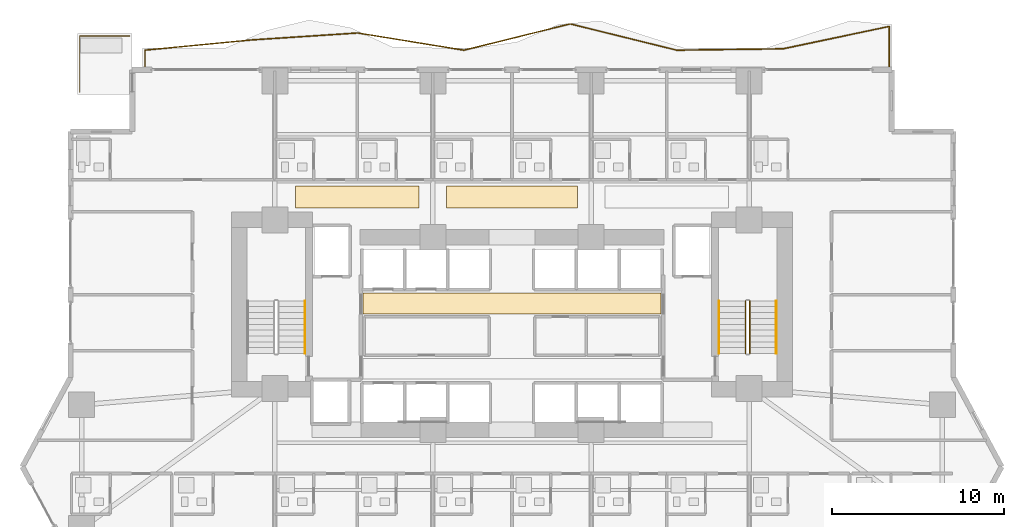
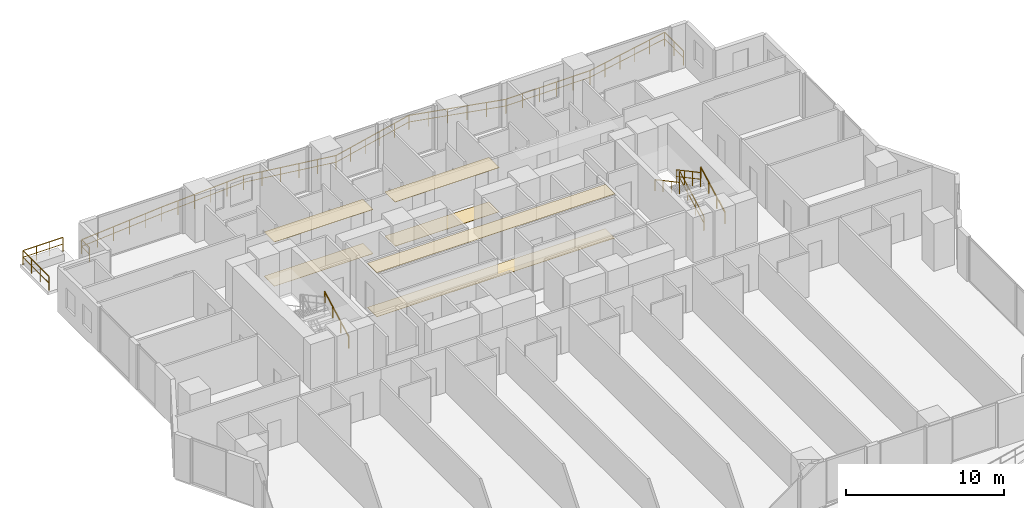
# One storey, part 27 of 29: 7 railings, 6 coverings.
"""IFC4 building model written with IfcOpenShell, lengths in metres."""

from ifc_helpers import new_model, si_unit, direction, frame, origin, origin_2d, place, context, subcontext, project, spatial, polyline, rectangle, outline, extrude, material, layer, layer_set, type_object, element, save


model = new_model("IFC4")

# Units and contexts
model_context = context("Model", 3, precision=1e-05, world=origin(), true_north=direction((0.0, 1.0)))
body_context = subcontext(model_context, "Body", "Model", "MODEL_VIEW")
ifc_project = project(units=[si_unit("LENGTHUNIT", "METRE"), si_unit("AREAUNIT", "SQUARE_METRE"), si_unit("VOLUMEUNIT", "CUBIC_METRE"), si_unit("PLANEANGLEUNIT", "RADIAN"), si_unit("MASSUNIT", "GRAM", prefix="KILO")], contexts=[model_context])

# Site, building, storey
site_placement = place(None, origin())
site = spatial("IfcSite", under=ifc_project, at=site_placement, CompositionType="ELEMENT")
building_placement = place(site_placement, origin())
building = spatial("IfcBuilding", under=site, at=building_placement, Name="Zuhayl Quay Hotel", CompositionType="ELEMENT")
storey_placement = place(building_placement, frame((0.0, 0.0, 60.449951171875)))
storey = spatial("IfcBuildingStorey", under=building, at=storey_placement, Name="L14", CompositionType="ELEMENT", Elevation=60.449951171875)

# Coverings
ifc_material_1 = material(Name="Acoustic Mineral-Fibre Gypsum Board")
ifc_layer_1 = layer(ifc_material_1, 0.02490234375, Name="Acoustic Mineral-Fibre Gypsum Board")
ifc_layer_set_1 = layer_set([ifc_layer_1], Name="Acoustic Mineral-Fibre Gypsum Board")
covering_type_1 = type_object("IfcCoveringType", Name="CV_CEIL_ACOUSTIC", PredefinedType="CEILING", material=ifc_layer_set_1)
covering_1_placement = place(storey_placement, frame((0.0, 0.0, 3.405029296875)))
element("IfcCovering", 1, at=covering_1_placement, inside=storey, type_object=covering_type_1, Name="L14 Suspended Acoustic Lobby Ceiling N", PredefinedType="CEILING", context=body_context, shape_type="SweptSolid", body=[
    extrude(outline(polyline([(-8.679931640625, 8.89990234375), (8.679931640625, 8.89990234375), (8.679931640625, 10.10009765625), (-8.679931640625, 10.10009765625), (-8.679931640625, 8.89990234375)])), origin(), (0.0, 0.0, 1.0), 0.02490234375),
])
covering_2_placement = place(storey_placement, frame((0.0, 0.0, 3.405029296875)))
element("IfcCovering", 2, at=covering_2_placement, inside=storey, type_object=covering_type_1, Name="L14 Guest Corridor Acoustic Ceiling CW", PredefinedType="CEILING", context=body_context, shape_type="SweptSolid", body=[
    extrude(outline(polyline([(-12.60009765625, 15.050048828125), (-5.39990234375, 15.050048828125), (-5.39990234375, 16.35009765625), (-12.60009765625, 16.35009765625), (-12.60009765625, 15.050048828125)])), origin(), (0.0, 0.0, 1.0), 0.02490234375),
])
covering_3_placement = place(storey_placement, frame((0.0, 0.0, 3.405029296875)))
element("IfcCovering", 3, at=covering_3_placement, inside=storey, type_object=covering_type_1, Name="L14 Guest Corridor Acoustic Ceiling CC", PredefinedType="CEILING", context=body_context, shape_type="SweptSolid", body=[
    extrude(outline(polyline([(-3.800048828125, 15.050048828125), (3.800048828125, 15.050048828125), (3.800048828125, 16.35009765625), (-3.800048828125, 16.35009765625), (-3.800048828125, 15.050048828125)])), origin(), (0.0, 0.0, 1.0), 0.02490234375),
])
ifc_material_2 = material(Name="Polished Limestone Terrazzo", Category="masonry")
ifc_layer_2 = layer(ifc_material_2, 0.02001953125, Name="Polished Limestone Terrazzo", Category="masonry")
ifc_layer_set_2 = layer_set([ifc_layer_2], Name="Polished Limestone Terrazzo")
covering_type_2 = type_object("IfcCoveringType", Name="CV_FLOOR_TERRAZZO", PredefinedType="FLOORING", material=ifc_layer_set_2)
covering_4_placement = place(storey_placement, origin())
element("IfcCovering", 4, at=covering_4_placement, inside=storey, type_object=covering_type_2, Name="L14 Honed Limestone Terrazzo Lobby Flooring N", PredefinedType="FLOORING", context=body_context, shape_type="SweptSolid", body=[
    extrude(outline(polyline([(-8.679931640625, 8.89990234375), (8.679931640625, 8.89990234375), (8.679931640625, 10.10009765625), (-8.679931640625, 10.10009765625), (-8.679931640625, 8.89990234375)])), origin(), (0.0, 0.0, 1.0), 0.02001953125),
])
covering_5_placement = place(storey_placement, origin())
element("IfcCovering", 5, at=covering_5_placement, inside=storey, type_object=covering_type_2, Name="L14 Guest Corridor Terrazzo Runner CW", PredefinedType="FLOORING", context=body_context, shape_type="SweptSolid", body=[
    extrude(outline(polyline([(-12.60009765625, 15.050048828125), (-5.39990234375, 15.050048828125), (-5.39990234375, 16.35009765625), (-12.60009765625, 16.35009765625), (-12.60009765625, 15.050048828125)])), origin(), (0.0, 0.0, 1.0), 0.02001953125),
])
covering_6_placement = place(storey_placement, origin())
element("IfcCovering", 6, at=covering_6_placement, inside=storey, type_object=covering_type_2, Name="L14 Guest Corridor Terrazzo Runner CC", PredefinedType="FLOORING", context=body_context, shape_type="SweptSolid", body=[
    extrude(outline(polyline([(-3.800048828125, 15.050048828125), (3.800048828125, 15.050048828125), (3.800048828125, 16.35009765625), (-3.800048828125, 16.35009765625), (-3.800048828125, 15.050048828125)])), origin(), (0.0, 0.0, 1.0), 0.02001953125),
])

# Railings
ifc_material_3 = material(Name="Anodised Aluminium and Laminated Glass", Category="aluminium")
railing_type_1 = type_object("IfcRailingType", Name="RL_EXT_BAL_1100", PredefinedType="BALUSTRADE", material=ifc_material_3)
railing_1_placement = place(storey_placement, frame((-21.360107421875, 23.219970703125, 0.0)))
element("IfcRailing", 7, at=railing_1_placement, inside=storey, type_object=railing_type_1, Name="L14 Balcony and Terrace Guard GR_L14_BAL_N", PredefinedType="BALUSTRADE", context=body_context, shape_type="SweptSolid", body=[
    extrude(rectangle(XDim=0.048095703125, YDim=0.048095703125, at=origin_2d()), frame((0.0, 0.0, 1.09619140625), z_axis=(0.0, 1.0, 0.0), x_axis=(-1.0, 0.0, 0.0)), (0.0, 0.0, 1.0), 1.02001953125),
    extrude(rectangle(XDim=0.0361328125, YDim=0.0361328125, at=origin_2d()), frame((0.0, 0.0, 0.58251953125), z_axis=(0.0, 1.0, 0.0), x_axis=(-1.0, 0.0, 0.0)), (0.0, 0.0, 1.0), 1.02001953125),
    extrude(rectangle(XDim=0.048095703125, YDim=0.048095703125, at=origin_2d()), frame((0.0, 1.02001953125, 1.09619140625), z_axis=(0.995403055673, 0.095774509953, 0.0), x_axis=(-0.095774509953, 0.995403055673, 0.0)), (0.0, 0.0, 1.0), 6.21728515625),
    extrude(rectangle(XDim=0.0361328125, YDim=0.0361328125, at=origin_2d()), frame((0.0, 1.02001953125, 0.58251953125), z_axis=(0.995403055673, 0.095774509953, 0.0), x_axis=(-0.095774509953, 0.995403055673, 0.0)), (0.0, 0.0, 1.0), 6.21728515625),
    extrude(rectangle(XDim=0.048095703125, YDim=0.048095703125, at=origin_2d()), frame((6.188720703125, 1.615478515625, 1.09619140625), z_axis=(0.997849653246, 0.065544408737, 0.0), x_axis=(-0.065544408737, 0.997849653246, 0.0)), (0.0, 0.0, 1.0), 6.201904296875),
    extrude(rectangle(XDim=0.0361328125, YDim=0.0361328125, at=origin_2d()), frame((6.188720703125, 1.615478515625, 0.58251953125), z_axis=(0.997849653246, 0.065544408737, 0.0), x_axis=(-0.065544408737, 0.997849653246, 0.0)), (0.0, 0.0, 1.0), 6.201904296875),
    extrude(rectangle(XDim=0.048095703125, YDim=0.048095703125, at=origin_2d()), frame((12.377197265625, 2.02197265625, 1.09619140625), z_axis=(0.987146355629, -0.159818874255, 0.0), x_axis=(0.159818874255, 0.987146355629, 0.0)), (0.0, 0.0, 1.0), 6.269287109375),
    extrude(rectangle(XDim=0.0361328125, YDim=0.0361328125, at=origin_2d()), frame((12.377197265625, 2.02197265625, 0.58251953125), z_axis=(0.987146355629, -0.159818874255, 0.0), x_axis=(0.159818874255, 0.987146355629, 0.0)), (0.0, 0.0, 1.0), 6.269287109375),
    extrude(rectangle(XDim=0.048095703125, YDim=0.048095703125, at=origin_2d()), frame((18.56591796875, 1.02001953125, 1.09619140625), z_axis=(0.970770004636, 0.240011662421, 0.0), x_axis=(-0.240011662421, 0.970770004636, 0.0)), (0.0, 0.0, 1.0), 6.374755859375),
    extrude(rectangle(XDim=0.0361328125, YDim=0.0361328125, at=origin_2d()), frame((18.56591796875, 1.02001953125, 0.58251953125), z_axis=(0.970770004636, 0.240011662421, 0.0), x_axis=(-0.240011662421, 0.970770004636, 0.0)), (0.0, 0.0, 1.0), 6.374755859375),
    extrude(rectangle(XDim=0.048095703125, YDim=0.048095703125, at=origin_2d()), frame((24.75439453125, 2.550048828125, 1.09619140625), z_axis=(0.970772210675, -0.240002739528, 0.0), x_axis=(0.240002739528, 0.970772210675, 0.0)), (0.0, 0.0, 1.0), 6.375),
    extrude(rectangle(XDim=0.0361328125, YDim=0.0361328125, at=origin_2d()), frame((24.75439453125, 2.550048828125, 0.58251953125), z_axis=(0.970772210675, -0.240002739528, 0.0), x_axis=(0.240002739528, 0.970772210675, 0.0)), (0.0, 0.0, 1.0), 6.375),
    extrude(rectangle(XDim=0.048095703125, YDim=0.048095703125, at=origin_2d()), frame((30.943115234375, 1.02001953125, 1.09619140625), z_axis=(0.999915266473, 0.013017675475, 0.0), x_axis=(-0.013017675475, 0.999915266473, 0.0)), (0.0, 0.0, 1.0), 6.18896484375),
    extrude(rectangle(XDim=0.0361328125, YDim=0.0361328125, at=origin_2d()), frame((30.943115234375, 1.02001953125, 0.58251953125), z_axis=(0.999915266473, 0.013017675475, 0.0), x_axis=(-0.013017675475, 0.999915266473, 0.0)), (0.0, 0.0, 1.0), 6.18896484375),
    extrude(rectangle(XDim=0.048095703125, YDim=0.048095703125, at=origin_2d()), frame((37.131591796875, 1.1005859375, 1.09619140625), z_axis=(0.978553061658, 0.205994916246, 0.0), x_axis=(-0.205994916246, 0.978553061658, 0.0)), (0.0, 0.0, 1.0), 6.32421875),
    extrude(rectangle(XDim=0.0361328125, YDim=0.0361328125, at=origin_2d()), frame((37.131591796875, 1.1005859375, 0.58251953125), z_axis=(0.978553061658, 0.205994916246, 0.0), x_axis=(-0.205994916246, 0.978553061658, 0.0)), (0.0, 0.0, 1.0), 6.32421875),
    extrude(rectangle(XDim=0.048095703125, YDim=0.048095703125, at=origin_2d()), frame((43.320068359375, 2.4033203125, 1.09619140625), z_axis=(0.0, -1.0, 0.0), x_axis=(1.0, 0.0, 0.0)), (0.0, 0.0, 1.0), 2.4033203125),
    extrude(rectangle(XDim=0.0361328125, YDim=0.0361328125, at=origin_2d()), frame((43.320068359375, 2.4033203125, 0.58251953125), z_axis=(0.0, -1.0, 0.0), x_axis=(1.0, 0.0, 0.0)), (0.0, 0.0, 1.0), 2.4033203125),
    extrude(rectangle(XDim=0.0419921875, YDim=0.0419921875, at=origin_2d()), origin(), (0.0, 0.0, 1.0), 1.072021484375),
    extrude(rectangle(XDim=0.0419921875, YDim=0.0419921875, at=origin_2d()), frame((0.0, 1.02001953125, 0.0)), (0.0, 0.0, 1.0), 1.072021484375),
    extrude(rectangle(XDim=0.0419921875, YDim=0.0419921875, at=origin_2d()), frame((1.23779296875, 1.13916015625, 0.0)), (0.0, 0.0, 1.0), 1.072021484375),
    extrude(rectangle(XDim=0.0419921875, YDim=0.0419921875, at=origin_2d()), frame((2.4755859375, 1.25830078125, 0.0)), (0.0, 0.0, 1.0), 1.072021484375),
    extrude(rectangle(XDim=0.0419921875, YDim=0.0419921875, at=origin_2d()), frame((3.713134765625, 1.377197265625, 0.0)), (0.0, 0.0, 1.0), 1.072021484375),
    extrude(rectangle(XDim=0.0419921875, YDim=0.0419921875, at=origin_2d()), frame((4.950927734375, 1.496337890625, 0.0)), (0.0, 0.0, 1.0), 1.072021484375),
    extrude(rectangle(XDim=0.0419921875, YDim=0.0419921875, at=origin_2d()), frame((6.188720703125, 1.615478515625, 0.0)), (0.0, 0.0, 1.0), 1.072021484375),
    extrude(rectangle(XDim=0.0419921875, YDim=0.0419921875, at=origin_2d()), frame((7.426513671875, 1.69677734375, 0.0)), (0.0, 0.0, 1.0), 1.072021484375),
    extrude(rectangle(XDim=0.0419921875, YDim=0.0419921875, at=origin_2d()), frame((8.6640625, 1.778076171875, 0.0)), (0.0, 0.0, 1.0), 1.072021484375),
    extrude(rectangle(XDim=0.0419921875, YDim=0.0419921875, at=origin_2d()), frame((9.90185546875, 1.859375, 0.0)), (0.0, 0.0, 1.0), 1.072021484375),
    extrude(rectangle(XDim=0.0419921875, YDim=0.0419921875, at=origin_2d()), frame((11.139404296875, 1.940673828125, 0.0)), (0.0, 0.0, 1.0), 1.072021484375),
    extrude(rectangle(XDim=0.0419921875, YDim=0.0419921875, at=origin_2d()), frame((12.377197265625, 2.02197265625, 0.0)), (0.0, 0.0, 1.0), 1.072021484375),
    extrude(rectangle(XDim=0.0419921875, YDim=0.0419921875, at=origin_2d()), frame((13.614990234375, 1.821533203125, 0.0)), (0.0, 0.0, 1.0), 1.072021484375),
    extrude(rectangle(XDim=0.0419921875, YDim=0.0419921875, at=origin_2d()), frame((14.852783203125, 1.62109375, 0.0)), (0.0, 0.0, 1.0), 1.072021484375),
    extrude(rectangle(XDim=0.0419921875, YDim=0.0419921875, at=origin_2d()), frame((16.09033203125, 1.4208984375, 0.0)), (0.0, 0.0, 1.0), 1.072021484375),
    extrude(rectangle(XDim=0.0419921875, YDim=0.0419921875, at=origin_2d()), frame((17.328125, 1.220458984375, 0.0)), (0.0, 0.0, 1.0), 1.072021484375),
    extrude(rectangle(XDim=0.0419921875, YDim=0.0419921875, at=origin_2d()), frame((18.56591796875, 1.02001953125, 0.0)), (0.0, 0.0, 1.0), 1.072021484375),
    extrude(rectangle(XDim=0.0419921875, YDim=0.0419921875, at=origin_2d()), frame((19.8037109375, 1.325927734375, 0.0)), (0.0, 0.0, 1.0), 1.072021484375),
    extrude(rectangle(XDim=0.0419921875, YDim=0.0419921875, at=origin_2d()), frame((21.041259765625, 1.632080078125, 0.0)), (0.0, 0.0, 1.0), 1.072021484375),
    extrude(rectangle(XDim=0.0419921875, YDim=0.0419921875, at=origin_2d()), frame((22.279052734375, 1.93798828125, 0.0)), (0.0, 0.0, 1.0), 1.072021484375),
    extrude(rectangle(XDim=0.0419921875, YDim=0.0419921875, at=origin_2d()), frame((23.5166015625, 2.244140625, 0.0)), (0.0, 0.0, 1.0), 1.072021484375),
    extrude(rectangle(XDim=0.0419921875, YDim=0.0419921875, at=origin_2d()), frame((24.75439453125, 2.550048828125, 0.0)), (0.0, 0.0, 1.0), 1.072021484375),
    extrude(rectangle(XDim=0.0419921875, YDim=0.0419921875, at=origin_2d()), frame((25.9921875, 2.244140625, 0.0)), (0.0, 0.0, 1.0), 1.072021484375),
    extrude(rectangle(XDim=0.0419921875, YDim=0.0419921875, at=origin_2d()), frame((27.22998046875, 1.93798828125, 0.0)), (0.0, 0.0, 1.0), 1.072021484375),
    extrude(rectangle(XDim=0.0419921875, YDim=0.0419921875, at=origin_2d()), frame((28.467529296875, 1.632080078125, 0.0)), (0.0, 0.0, 1.0), 1.072021484375),
    extrude(rectangle(XDim=0.0419921875, YDim=0.0419921875, at=origin_2d()), frame((29.705322265625, 1.325927734375, 0.0)), (0.0, 0.0, 1.0), 1.072021484375),
    extrude(rectangle(XDim=0.0419921875, YDim=0.0419921875, at=origin_2d()), frame((30.943115234375, 1.02001953125, 0.0)), (0.0, 0.0, 1.0), 1.072021484375),
    extrude(rectangle(XDim=0.0419921875, YDim=0.0419921875, at=origin_2d()), frame((32.180908203125, 1.0361328125, 0.0)), (0.0, 0.0, 1.0), 1.072021484375),
    extrude(rectangle(XDim=0.0419921875, YDim=0.0419921875, at=origin_2d()), frame((33.41845703125, 1.05224609375, 0.0)), (0.0, 0.0, 1.0), 1.072021484375),
    extrude(rectangle(XDim=0.0419921875, YDim=0.0419921875, at=origin_2d()), frame((34.65625, 1.068359375, 0.0)), (0.0, 0.0, 1.0), 1.072021484375),
    extrude(rectangle(XDim=0.0419921875, YDim=0.0419921875, at=origin_2d()), frame((35.893798828125, 1.08447265625, 0.0)), (0.0, 0.0, 1.0), 1.072021484375),
    extrude(rectangle(XDim=0.0419921875, YDim=0.0419921875, at=origin_2d()), frame((37.131591796875, 1.1005859375, 0.0)), (0.0, 0.0, 1.0), 1.072021484375),
    extrude(rectangle(XDim=0.0419921875, YDim=0.0419921875, at=origin_2d()), frame((38.369384765625, 1.361083984375, 0.0)), (0.0, 0.0, 1.0), 1.072021484375),
    extrude(rectangle(XDim=0.0419921875, YDim=0.0419921875, at=origin_2d()), frame((39.60693359375, 1.62158203125, 0.0)), (0.0, 0.0, 1.0), 1.072021484375),
    extrude(rectangle(XDim=0.0419921875, YDim=0.0419921875, at=origin_2d()), frame((40.8447265625, 1.88232421875, 0.0)), (0.0, 0.0, 1.0), 1.072021484375),
    extrude(rectangle(XDim=0.0419921875, YDim=0.0419921875, at=origin_2d()), frame((42.082275390625, 2.142822265625, 0.0)), (0.0, 0.0, 1.0), 1.072021484375),
    extrude(rectangle(XDim=0.0419921875, YDim=0.0419921875, at=origin_2d()), frame((43.320068359375, 2.4033203125, 0.0)), (0.0, 0.0, 1.0), 1.072021484375),
    extrude(rectangle(XDim=0.0419921875, YDim=0.0419921875, at=origin_2d()), frame((43.320068359375, 1.20166015625, 0.0)), (0.0, 0.0, 1.0), 1.072021484375),
    extrude(rectangle(XDim=0.0419921875, YDim=0.0419921875, at=origin_2d()), frame((43.320068359375, 0.0, 0.0)), (0.0, 0.0, 1.0), 1.072021484375),
])
railing_2_placement = place(storey_placement, frame((-22.239990234375, 25.06005859375, 0.0)))
element("IfcRailing", 8, at=railing_2_placement, inside=storey, type_object=railing_type_1, Name="L14 Balcony and Terrace Guard GR_L14_SPIRAL_NW", PredefinedType="BALUSTRADE", context=body_context, shape_type="SweptSolid", body=[
    extrude(rectangle(XDim=0.048095703125, YDim=0.048095703125, at=origin_2d()), frame((0.0, 0.0, 1.09619140625), z_axis=(-1.0, 0.0, 0.0), x_axis=(0.0, -1.0, 0.0)), (0.0, 0.0, 1.0), 2.919921875),
    extrude(rectangle(XDim=0.0361328125, YDim=0.0361328125, at=origin_2d()), frame((0.0, 0.0, 0.58251953125), z_axis=(-1.0, 0.0, 0.0), x_axis=(0.0, -1.0, 0.0)), (0.0, 0.0, 1.0), 2.919921875),
    extrude(rectangle(XDim=0.048095703125, YDim=0.048095703125, at=origin_2d()), frame((-2.919921875, 0.0, 1.09619140625), z_axis=(0.0, -1.0, 0.0), x_axis=(1.0, 0.0, 0.0)), (0.0, 0.0, 1.0), 3.27001953125),
    extrude(rectangle(XDim=0.0361328125, YDim=0.0361328125, at=origin_2d()), frame((-2.919921875, 0.0, 0.58251953125), z_axis=(0.0, -1.0, 0.0), x_axis=(1.0, 0.0, 0.0)), (0.0, 0.0, 1.0), 3.27001953125),
    extrude(rectangle(XDim=0.0419921875, YDim=0.0419921875, at=origin_2d()), origin(), (0.0, 0.0, 1.0), 1.072021484375),
    extrude(rectangle(XDim=0.0419921875, YDim=0.0419921875, at=origin_2d()), frame((-0.973388671875, 0.0, 0.0)), (0.0, 0.0, 1.0), 1.072021484375),
    extrude(rectangle(XDim=0.0419921875, YDim=0.0419921875, at=origin_2d()), frame((-1.946533203125, 0.0, 0.0)), (0.0, 0.0, 1.0), 1.072021484375),
    extrude(rectangle(XDim=0.0419921875, YDim=0.0419921875, at=origin_2d()), frame((-2.919921875, 0.0, 0.0)), (0.0, 0.0, 1.0), 1.072021484375),
    extrude(rectangle(XDim=0.0419921875, YDim=0.0419921875, at=origin_2d()), frame((-2.919921875, -1.090087890625, 0.0)), (0.0, 0.0, 1.0), 1.072021484375),
    extrude(rectangle(XDim=0.0419921875, YDim=0.0419921875, at=origin_2d()), frame((-2.919921875, -2.179931640625, 0.0)), (0.0, 0.0, 1.0), 1.072021484375),
    extrude(rectangle(XDim=0.0419921875, YDim=0.0419921875, at=origin_2d()), frame((-2.919921875, -3.27001953125, 0.0)), (0.0, 0.0, 1.0), 1.072021484375),
])
ifc_material_4 = material(Name="Steel ASTM A992 Grade 50", Category="steel")
railing_type_2 = type_object("IfcRailingType", Name="RL_GUARD_1100", PredefinedType="GUARDRAIL", material=ifc_material_4)
railing_3_placement = place(storey_placement, frame((13.840087890625, 6.590087890625, 0.1826171875)))
element("IfcRailing", 9, at=railing_3_placement, inside=storey, type_object=railing_type_2, Name="L14 ST2 stair guard 1", PredefinedType="GUARDRAIL", context=body_context, shape_type="SweptSolid", body=[
    extrude(rectangle(XDim=0.048095703125, YDim=0.048095703125, at=origin_2d()), frame((0.0, 0.0, 1.09619140625), z_axis=(0.0, 0.881102395774, 0.472925541879), x_axis=(-1.0, 0.0, 0.0)), (0.0, 0.0, 1.0), 3.47265625),
    extrude(rectangle(XDim=0.0361328125, YDim=0.0361328125, at=origin_2d()), frame((0.0, 0.0, 0.58251953125), z_axis=(0.0, 0.881102395774, 0.472925541879), x_axis=(-1.0, 0.0, 0.0)), (0.0, 0.0, 1.0), 3.47265625),
    extrude(rectangle(XDim=0.0419921875, YDim=0.0419921875, at=origin_2d()), origin(), (0.0, 0.0, 1.0), 1.072021484375),
    extrude(rectangle(XDim=0.0419921875, YDim=0.0419921875, at=origin_2d()), frame((0.0, 1.02001953125, 0.54736328125)), (0.0, 0.0, 1.0), 1.072021484375),
    extrude(rectangle(XDim=0.0419921875, YDim=0.0419921875, at=origin_2d()), frame((0.0, 2.039794921875, 1.094970703125)), (0.0, 0.0, 1.0), 1.072021484375),
    extrude(rectangle(XDim=0.0419921875, YDim=0.0419921875, at=origin_2d()), frame((0.0, 3.059814453125, 1.642333984375)), (0.0, 0.0, 1.0), 1.072021484375),
])
railing_4_placement = place(storey_placement, frame((13.590087890625, 9.64990234375, 2.007568359375)))
element("IfcRailing", 10, at=railing_4_placement, inside=storey, type_object=railing_type_2, Name="L14 ST2 stair guard 3", PredefinedType="GUARDRAIL", context=body_context, shape_type="SweptSolid", body=[
    extrude(rectangle(XDim=0.048095703125, YDim=0.048095703125, at=origin_2d()), frame((0.0, 0.0, 1.09619140625), z_axis=(0.0, -0.88107310026, 0.472980117973), x_axis=(1.0, 0.0, 0.0)), (0.0, 0.0, 1.0), 3.472900390625),
    extrude(rectangle(XDim=0.0361328125, YDim=0.0361328125, at=origin_2d()), frame((0.0, 0.0, 0.58251953125), z_axis=(0.0, -0.88107310026, 0.472980117973), x_axis=(1.0, 0.0, 0.0)), (0.0, 0.0, 1.0), 3.472900390625),
    extrude(rectangle(XDim=0.0419921875, YDim=0.0419921875, at=origin_2d()), origin(), (0.0, 0.0, 1.0), 1.072021484375),
    extrude(rectangle(XDim=0.0419921875, YDim=0.0419921875, at=origin_2d()), frame((0.0, -1.02001953125, 0.547607421875)), (0.0, 0.0, 1.0), 1.072021484375),
    extrude(rectangle(XDim=0.0419921875, YDim=0.0419921875, at=origin_2d()), frame((0.0, -2.039794921875, 1.094970703125)), (0.0, 0.0, 1.0), 1.072021484375),
    extrude(rectangle(XDim=0.0419921875, YDim=0.0419921875, at=origin_2d()), frame((0.0, -3.059814453125, 1.642578125)), (0.0, 0.0, 1.0), 1.072021484375),
])
railing_type_3 = type_object("IfcRailingType", Name="RL_HANDRAIL_920", PredefinedType="HANDRAIL", material=ifc_material_4)
for number, where, name in (
    (11, (-12.050048828125, 6.590087890625, 0.1826171875), "L14 ST1 stair handrail 1"),
    (12, (15.3798828125, 6.590087890625, 0.1826171875), "L14 ST2 stair handrail 1"),
):
    element("IfcRailing", number, at=place(storey_placement, frame(where)), inside=storey, type_object=railing_type_3, Name=name, PredefinedType="HANDRAIL", context=body_context, shape_type="SweptSolid", body=[
        extrude(rectangle(XDim=0.048095703125, YDim=0.048095703125, at=origin_2d()), frame((0.0, 0.0, 0.8759765625), z_axis=(0.0, 0.881102395774, 0.472925541879), x_axis=(-1.0, 0.0, 0.0)), (0.0, 0.0, 1.0), 3.47265625),
        extrude(rectangle(XDim=0.0419921875, YDim=0.0419921875, at=origin_2d()), origin(), (0.0, 0.0, 1.0), 0.851806640625),
        extrude(rectangle(XDim=0.0419921875, YDim=0.0419921875, at=origin_2d()), frame((0.0, 1.02001953125, 0.54736328125)), (0.0, 0.0, 1.0), 0.851806640625),
        extrude(rectangle(XDim=0.0419921875, YDim=0.0419921875, at=origin_2d()), frame((0.0, 2.039794921875, 1.094970703125)), (0.0, 0.0, 1.0), 0.851806640625),
        extrude(rectangle(XDim=0.0419921875, YDim=0.0419921875, at=origin_2d()), frame((0.0, 3.059814453125, 1.642333984375)), (0.0, 0.0, 1.0), 0.851806640625),
    ])
railing_5_placement = place(storey_placement, frame((12.050048828125, 9.64990234375, 2.007568359375)))
element("IfcRailing", 13, at=railing_5_placement, inside=storey, type_object=railing_type_3, Name="L14 ST2 stair handrail 2", PredefinedType="HANDRAIL", context=body_context, shape_type="SweptSolid", body=[
    extrude(rectangle(XDim=0.048095703125, YDim=0.048095703125, at=origin_2d()), frame((0.0, 0.0, 0.8759765625), z_axis=(0.0, -0.88107310026, 0.472980117973), x_axis=(1.0, 0.0, 0.0)), (0.0, 0.0, 1.0), 3.472900390625),
    extrude(rectangle(XDim=0.0419921875, YDim=0.0419921875, at=origin_2d()), origin(), (0.0, 0.0, 1.0), 0.851806640625),
    extrude(rectangle(XDim=0.0419921875, YDim=0.0419921875, at=origin_2d()), frame((0.0, -1.02001953125, 0.547607421875)), (0.0, 0.0, 1.0), 0.851806640625),
    extrude(rectangle(XDim=0.0419921875, YDim=0.0419921875, at=origin_2d()), frame((0.0, -2.039794921875, 1.094970703125)), (0.0, 0.0, 1.0), 0.851806640625),
    extrude(rectangle(XDim=0.0419921875, YDim=0.0419921875, at=origin_2d()), frame((0.0, -3.059814453125, 1.642578125)), (0.0, 0.0, 1.0), 0.851806640625),
])

save(model, "model.ifc")
